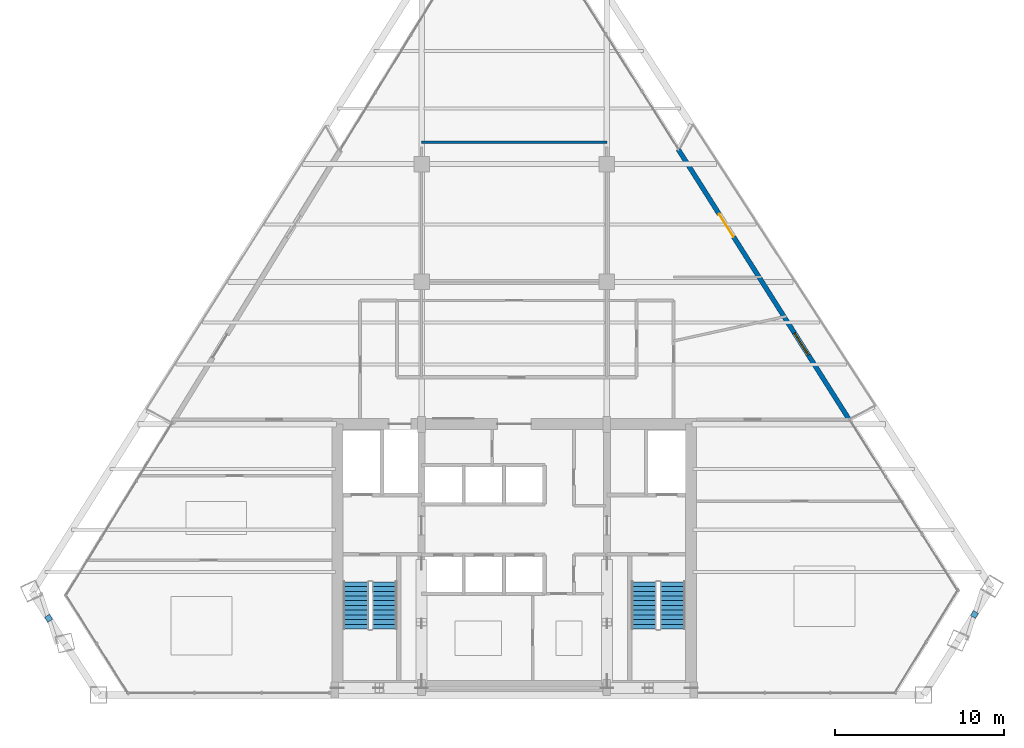
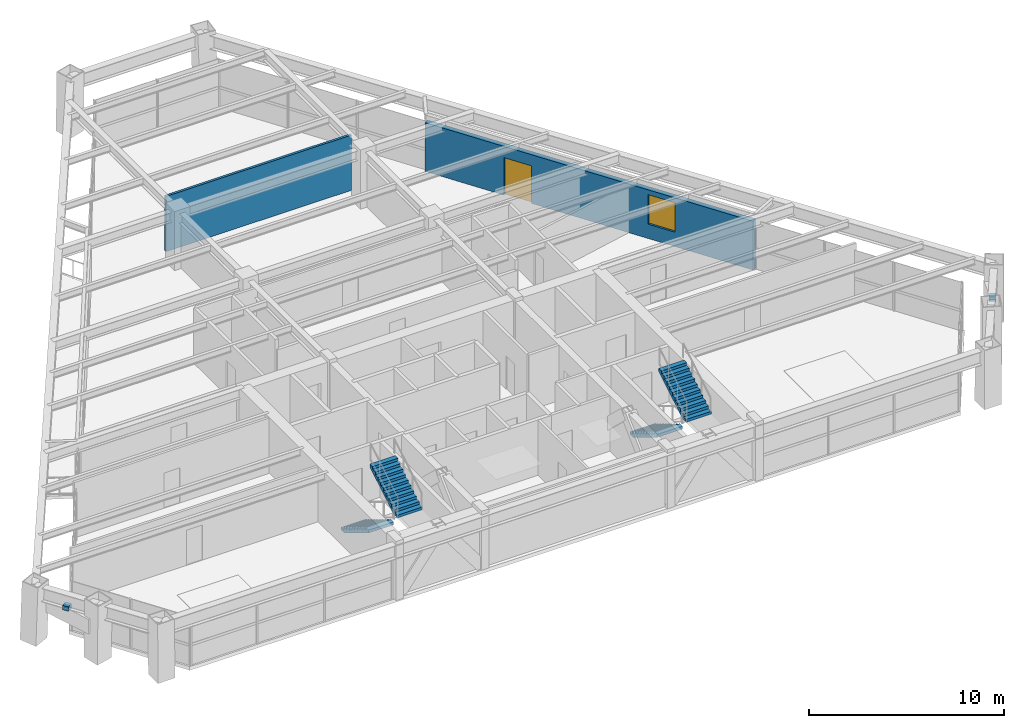
# One storey, part 13 of 15: 4 stair flights, 2 discrete accessories, 2 walls, 1 door, 1 window, 2 openings, 2 elements without a shape of their own.
"""IFC4 building model written with IfcOpenShell, lengths in metres."""

from ifc_helpers import new_model, si_unit, direction, frame, frame_2d, origin, origin_2d, place, context, subcontext, project, spatial, polyline, rectangle, outline, extrude, source, transform, mapped, material, layer, layer_set, type_object, type_shapes, element, fill, aggregate, save


model = new_model("IFC4")

# Units and contexts
model_context = context("Model", 3, precision=1e-05, world=origin(), true_north=direction((0.0, 1.0)))
body_context = subcontext(model_context, "Body", "Model", "MODEL_VIEW")
ifc_project = project(units=[si_unit("LENGTHUNIT", "METRE"), si_unit("AREAUNIT", "SQUARE_METRE"), si_unit("VOLUMEUNIT", "CUBIC_METRE"), si_unit("PLANEANGLEUNIT", "RADIAN"), si_unit("MASSUNIT", "GRAM", prefix="KILO")], contexts=[model_context])

# Site, building, storey
site_placement = place(None, origin())
site = spatial("IfcSite", under=ifc_project, at=site_placement, CompositionType="ELEMENT")
building_placement = place(site_placement, origin())
building = spatial("IfcBuilding", under=site, at=building_placement, Name="Varnakhor Terracotta Tower", CompositionType="ELEMENT")
storey_placement = place(building_placement, frame((0.0, 0.0, 193.199951171875)))
storey = spatial("IfcBuildingStorey", under=building, at=storey_placement, Name="L49", CompositionType="ELEMENT", Elevation=193.199951171875)

# Wall, openings, door, window
ifc_material_1 = material(Name="Extruded Architectural Terracotta Assembly", Category="masonry")
ifc_layer_1 = layer(ifc_material_1, 0.280029296875, Name="Extruded Architectural Terracotta Assembly")
ifc_layer_set_1 = layer_set([ifc_layer_1], Name="Extruded Architectural Terracotta Assembly")
wall_type_1 = type_object("IfcWallType", Name="WAL-EXT-TERRACOTTA-280", PredefinedType="SOLIDWALL", material=ifc_layer_set_1)
wall_1_placement = place(storey_placement, frame((9.7255859375, 32.37939453125, 0.0), z_axis=(0.0, 0.0, 1.0), x_axis=(0.534579680482, -0.845118077676, 0.0)))
wall_1 = element("IfcWall", 1, at=wall_1_placement, inside=storey, type_object=wall_type_1, Name="L49 E Loggia Insulated Terracotta Wall", PredefinedType="SOLIDWALL", context=body_context, shape_type="SweptSolid", body=[
    extrude(rectangle(XDim=18.987060546875, YDim=0.280029296875, at=frame_2d((9.49365234375, 0.0))), origin(), (0.0, 0.0, 1.0), 3.050048828125),
])
opening_1_placement = place(wall_1_placement, frame((4.556884765625, 0.0, 0.0)))
opening_1 = element("IfcOpeningElement", 2, at=opening_1_placement, cuts=wall_1, Name="Opening DR-62", PredefinedType="OPENING", context=body_context, shape_type="SweptSolid", body=[
    extrude(rectangle(XDim=1.60009765625, YDim=2.35009765625, at=frame_2d((0.800048828125, 1.175048828125))), frame((0.0, 0.14990234375, 0.0), z_axis=(0.0, -1.0, 0.0), x_axis=(1.0, 0.0, 0.0)), (0.0, 0.0, 1.0), 0.300048828125),
])
opening_2_placement = place(wall_1_placement, frame((12.9111328125, 0.0, 0.89990234375)))
opening_2 = element("IfcOpeningElement", 3, at=opening_2_placement, cuts=wall_1, Name="Opening WN-57", PredefinedType="OPENING", context=body_context, shape_type="SweptSolid", body=[
    extrude(rectangle(XDim=1.550048828125, YDim=1.85009765625, at=frame_2d((0.77490234375, 0.925048828125))), frame((0.0, 0.14990234375, 0.0), z_axis=(0.0, -1.0, 0.0), x_axis=(1.0, 0.0, 0.0)), (0.0, 0.0, 1.0), 0.300048828125),
])
ifc_material_2 = material(Name="Thermally Broken Sliding Glass Loggia Door", Category="glass")
door_type = type_object("IfcDoorType", Name="DR-EXT-LOGGIA-1600X2350", OperationType="NOTDEFINED", PredefinedType="DOOR", material=ifc_material_2)
shared_shape_1 = source(origin(), body_context, "Body", "SweptSolid", [
    extrude(rectangle(XDim=1.60009765625, YDim=2.35009765625, at=frame_2d((0.800048828125, 1.175048828125))), frame((0.0, 0.02490234375, 0.0), z_axis=(0.0, -1.0, 0.0), x_axis=(1.0, 0.0, 0.0)), (0.0, 0.0, 1.0), 0.050048828125),
])
type_shapes(door_type, [shared_shape_1])
door_placement = place(opening_1_placement, origin())
door = element("IfcDoor", 4, at=door_placement, inside=storey, type_object=door_type, Name="L49 E Recessed Loggia Sliding Door", OperationType="SLIDING_TO_RIGHT", OverallHeight=2.35009765625, OverallWidth=1.60009765625, PredefinedType="DOOR", context=body_context, shape_type="MappedRepresentation", body=[
    mapped(shared_shape_1, transform((0.0, 0.0, 0.0), scale=1.0)),
])
fill(opening_1, door)
ifc_material_3 = material(Name="Solar-Control Low-E Insulated Glass Unit", Category="glass")
window_type = type_object("IfcWindowType", Name="WIN-OFF-1650X2100", PartitioningType="SINGLE_PANEL", PredefinedType="WINDOW", material=ifc_material_3)
shared_shape_2 = source(origin(), body_context, "Body", "SweptSolid", [
    extrude(rectangle(XDim=1.550048828125, YDim=1.85009765625, at=frame_2d((0.77490234375, 0.925048828125))), frame((0.0, 0.030029296875, 0.0), z_axis=(0.0, -1.0, 0.0), x_axis=(1.0, 0.0, 0.0)), (0.0, 0.0, 1.0), 0.06005859375),
])
type_shapes(window_type, [shared_shape_2])
window_placement = place(opening_2_placement, origin())
window = element("IfcWindow", 5, at=window_placement, inside=storey, type_object=window_type, Name="L49 E Facet Punched Window", OverallHeight=1.85009765625, OverallWidth=1.550048828125, PartitioningType="SINGLE_PANEL", PredefinedType="WINDOW", context=body_context, shape_type="MappedRepresentation", body=[
    mapped(shared_shape_2, transform((0.0, 0.0, 0.0), scale=1.0)),
])
fill(opening_2, window)

# Wall
ifc_material_4 = material(Name="Acoustic Metal-Stud Partition", Category="gypsum")
ifc_layer_2 = layer(ifc_material_4, 0.139892578125, Name="Acoustic Metal-Stud Partition")
ifc_layer_set_2 = layer_set([ifc_layer_2], Name="Acoustic Metal-Stud Partition")
wall_type_2 = type_object("IfcWallType", Name="WAL-PART-140", PredefinedType="PARTITIONING", material=ifc_layer_set_2)
wall_2_placement = place(storey_placement, frame((-5.5, 32.800048828125, 0.0), z_axis=(0.0, 0.0, 1.0), x_axis=(1.0, 0.0, 0.0)))
element("IfcWall", 6, at=wall_2_placement, inside=storey, type_object=wall_type_2, Name="L49 Center Cross Cut 2", PredefinedType="PARTITIONING", context=body_context, shape_type="SweptSolid", body=[
    extrude(rectangle(XDim=11.0, YDim=0.139892578125, at=frame_2d((5.5, 0.0))), origin(), (0.0, 0.0, 1.0), 3.462158203125),
])

# Stair, stair flights
ifc_material_5 = material(Name="Concrete C40/50", Category="concrete")
stair_type = type_object("IfcStairType", Name="STR-CORE-OFFICE-1500", PredefinedType="HALF_TURN_STAIR", material=ifc_material_5)
stair_1_placement = place(storey_placement, origin())
stair_1 = element("IfcStair", 7, at=stair_1_placement, inside=storey, type_object=stair_type, Name="L49 Core Exit Stair ST-1", PredefinedType="HALF_TURN_STAIR")
stair_flight_type = type_object("IfcStairFlightType", Name="FLT-CORE-1500", PredefinedType="STRAIGHT", material=ifc_material_5)
stair_flight_1_placement = place(storey_placement, frame((-9.39990234375, 6.7099609375, 0.0), z_axis=(0.0, 0.0, 1.0), x_axis=(0.0, -1.0, 0.0)))
stair_flight_1 = element("IfcStairFlight", 8, at=stair_flight_1_placement, type_object=stair_flight_type, Name="ST-1 flight 1", NumberOfRisers=11, NumberOfTreads=10, PredefinedType="STRAIGHT", RiserHeight=0.168181818, TreadLength=0.28, context=body_context, shape_type="SweptSolid", body=[
    extrude(outline(polyline([(0.0, 0.0), (0.0, 0.168212890625), (0.280029296875, 0.168212890625), (0.280029296875, 0.33642578125), (0.56005859375, 0.33642578125), (0.56005859375, 0.504638671875), (0.840087890625, 0.504638671875), (0.840087890625, 0.672607421875), (1.1201171875, 0.672607421875), (1.1201171875, 0.8408203125), (1.39990234375, 0.8408203125), (1.39990234375, 1.009033203125), (1.679931640625, 1.009033203125), (1.679931640625, 1.17724609375), (1.9599609375, 1.17724609375), (1.9599609375, 1.345458984375), (2.239990234375, 1.345458984375), (2.239990234375, 1.513671875), (2.52001953125, 1.513671875), (2.52001953125, 1.681884765625), (2.800048828125, 1.681884765625), (2.800048828125, 1.85009765625), (2.800048828125, 1.495361328125), (0.310546875, 0.0), (0.0, 0.0)])), frame((0.0, 0.75, 0.0), z_axis=(0.0, -1.0, 0.0), x_axis=(1.0, 0.0, 0.0)), (0.0, 0.0, 1.0), 1.5),
])
stair_flight_2_placement = place(storey_placement, frame((-7.699951171875, 3.909912109375, 1.85009765625), z_axis=(0.0, 0.0, 1.0), x_axis=(0.0, 1.0, 0.0)))
stair_flight_2 = element("IfcStairFlight", 9, at=stair_flight_2_placement, type_object=stair_flight_type, Name="ST-1 flight 2", NumberOfRisers=11, NumberOfTreads=10, PredefinedType="STRAIGHT", RiserHeight=0.168181818, TreadLength=0.28, context=body_context, shape_type="SweptSolid", body=[
    extrude(outline(polyline([(0.0, 0.0), (0.0, 0.168212890625), (0.280029296875, 0.168212890625), (0.280029296875, 0.33642578125), (0.56005859375, 0.33642578125), (0.56005859375, 0.504638671875), (0.840087890625, 0.504638671875), (0.840087890625, 0.672607421875), (1.1201171875, 0.672607421875), (1.1201171875, 0.8408203125), (1.39990234375, 0.8408203125), (1.39990234375, 1.009033203125), (1.679931640625, 1.009033203125), (1.679931640625, 1.17724609375), (1.9599609375, 1.17724609375), (1.9599609375, 1.345458984375), (2.239990234375, 1.345458984375), (2.239990234375, 1.513671875), (2.52001953125, 1.513671875), (2.52001953125, 1.681884765625), (2.800048828125, 1.681884765625), (2.800048828125, 1.85009765625), (2.800048828125, 1.495361328125), (0.310546875, 0.0), (0.0, 0.0)])), frame((0.0, 0.75, 0.0), z_axis=(0.0, -1.0, 0.0), x_axis=(1.0, 0.0, 0.0)), (0.0, 0.0, 1.0), 1.5),
])
aggregate(stair_1, [stair_flight_1, stair_flight_2])

stair_2_placement = place(storey_placement, origin())
stair_2 = element("IfcStair", 10, at=stair_2_placement, inside=storey, type_object=stair_type, Name="L49 Core Exit Stair ST-2", PredefinedType="HALF_TURN_STAIR")
stair_flight_3_placement = place(storey_placement, frame((7.699951171875, 6.7099609375, 0.0), z_axis=(0.0, 0.0, 1.0), x_axis=(0.0, -1.0, 0.0)))
stair_flight_3 = element("IfcStairFlight", 11, at=stair_flight_3_placement, type_object=stair_flight_type, Name="ST-2 flight 1", NumberOfRisers=11, NumberOfTreads=10, PredefinedType="STRAIGHT", RiserHeight=0.168181818, TreadLength=0.28, context=body_context, shape_type="SweptSolid", body=[
    extrude(outline(polyline([(0.0, 0.0), (0.0, 0.168212890625), (0.280029296875, 0.168212890625), (0.280029296875, 0.33642578125), (0.56005859375, 0.33642578125), (0.56005859375, 0.504638671875), (0.840087890625, 0.504638671875), (0.840087890625, 0.672607421875), (1.1201171875, 0.672607421875), (1.1201171875, 0.8408203125), (1.39990234375, 0.8408203125), (1.39990234375, 1.009033203125), (1.679931640625, 1.009033203125), (1.679931640625, 1.17724609375), (1.9599609375, 1.17724609375), (1.9599609375, 1.345458984375), (2.239990234375, 1.345458984375), (2.239990234375, 1.513671875), (2.52001953125, 1.513671875), (2.52001953125, 1.681884765625), (2.800048828125, 1.681884765625), (2.800048828125, 1.85009765625), (2.800048828125, 1.495361328125), (0.310546875, 0.0), (0.0, 0.0)])), frame((0.0, 0.75, 0.0), z_axis=(0.0, -1.0, 0.0), x_axis=(1.0, 0.0, 0.0)), (0.0, 0.0, 1.0), 1.5),
])
stair_flight_4_placement = place(storey_placement, frame((9.39990234375, 3.909912109375, 1.85009765625), z_axis=(0.0, 0.0, 1.0), x_axis=(0.0, 1.0, 0.0)))
stair_flight_4 = element("IfcStairFlight", 12, at=stair_flight_4_placement, type_object=stair_flight_type, Name="ST-2 flight 2", NumberOfRisers=11, NumberOfTreads=10, PredefinedType="STRAIGHT", RiserHeight=0.168181818, TreadLength=0.28, context=body_context, shape_type="SweptSolid", body=[
    extrude(outline(polyline([(0.0, 0.0), (0.0, 0.168212890625), (0.280029296875, 0.168212890625), (0.280029296875, 0.33642578125), (0.56005859375, 0.33642578125), (0.56005859375, 0.504638671875), (0.840087890625, 0.504638671875), (0.840087890625, 0.672607421875), (1.1201171875, 0.672607421875), (1.1201171875, 0.8408203125), (1.39990234375, 0.8408203125), (1.39990234375, 1.009033203125), (1.679931640625, 1.009033203125), (1.679931640625, 1.17724609375), (1.9599609375, 1.17724609375), (1.9599609375, 1.345458984375), (2.239990234375, 1.345458984375), (2.239990234375, 1.513671875), (2.52001953125, 1.513671875), (2.52001953125, 1.681884765625), (2.800048828125, 1.681884765625), (2.800048828125, 1.85009765625), (2.800048828125, 1.495361328125), (0.310546875, 0.0), (0.0, 0.0)])), frame((0.0, 0.75, 0.0), z_axis=(0.0, -1.0, 0.0), x_axis=(1.0, 0.0, 0.0)), (0.0, 0.0, 1.0), 1.5),
])
aggregate(stair_2, [stair_flight_3, stair_flight_4])

# Discrete accessories
ifc_material_6 = material(Name="Stainless Steel Fixing Bracket", Category="steel")
discrete_accessory_type = type_object("IfcDiscreteAccessoryType", Name="BRACKET-TERRACOTTA-SCREEN", PredefinedType="BRACKET", material=ifc_material_6)
shared_shape_3 = source(origin(), body_context, "Body", "SweptSolid", [
    extrude(rectangle(XDim=0.35009765625, YDim=0.35009765625, at=origin_2d()), origin(), (0.0, 0.0, 1.0), 0.280029296875),
])
type_shapes(discrete_accessory_type, [shared_shape_3])
for number, where, z_axis, x_axis, name in (
    (13, (27.305419921875, 4.772216796875, 2.48486328125), (0.0, 0.0, 1.0), (0.533658797389, 0.845699880554, 0.0), "L49 E Screen Fixing Bracket"),
    (14, (-27.62353515625, 4.55078125, 2.48486328125), (0.0, 0.0, 1.0), (0.544155905135, -0.838984118388, 0.0), "L49 W Screen Fixing Bracket"),
):
    element("IfcDiscreteAccessory", number, at=place(storey_placement, frame(where, z_axis=z_axis, x_axis=x_axis)), inside=storey, type_object=discrete_accessory_type, Name=name, PredefinedType="BRACKET", context=body_context, shape_type="MappedRepresentation", body=[
        mapped(shared_shape_3, transform((0.0, 0.0, 0.0), scale=1.0)),
    ])

save(model, "model.ifc")
